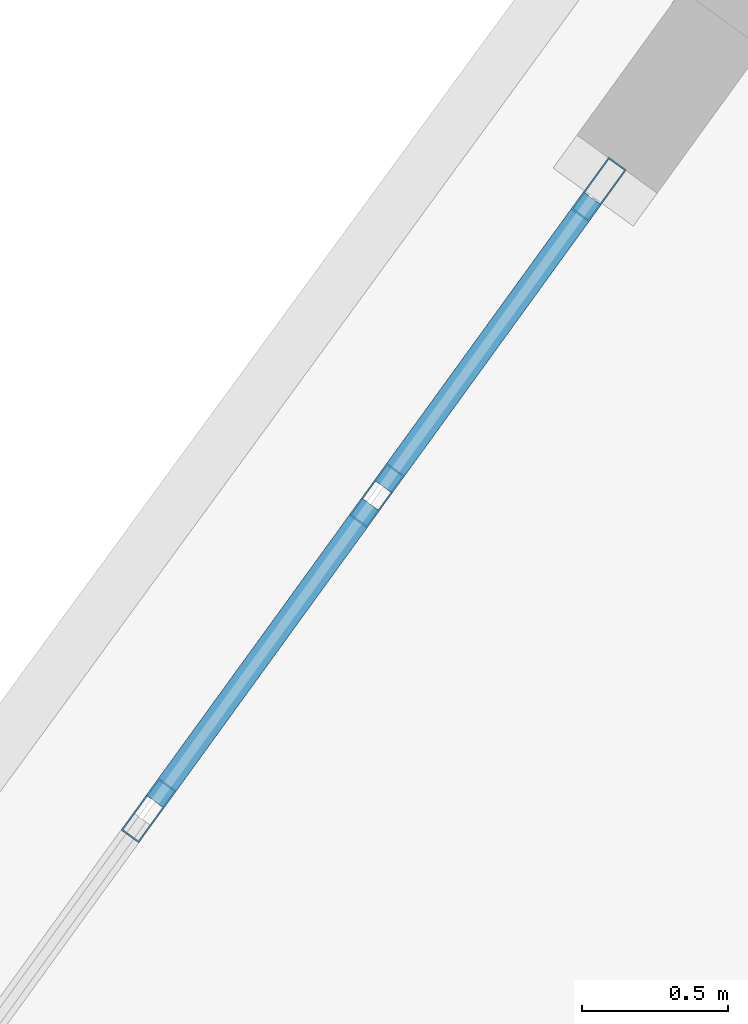
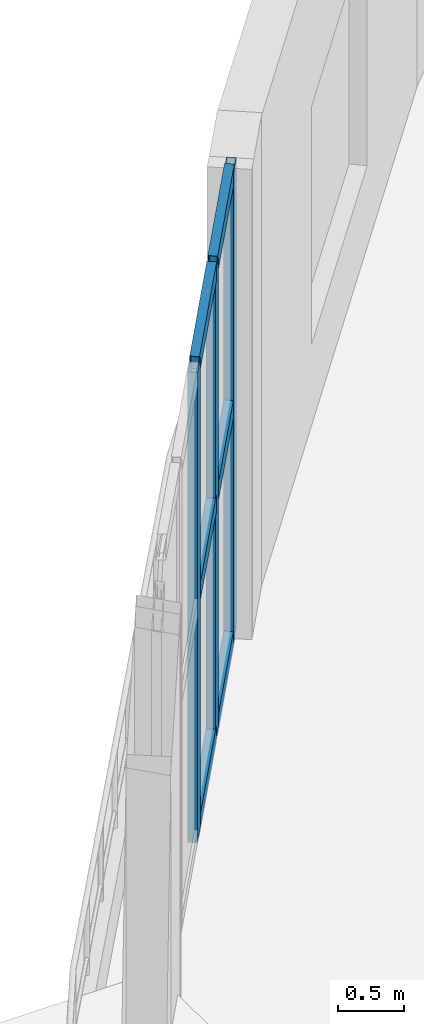
# One storey, part 8 of 19: 9 members, 1 element without a shape of its own.
"""IFC4 building model written with IfcOpenShell, lengths in metres."""

from ifc_helpers import new_model, si_unit, direction, frame, origin, origin_2d, place, context, subcontext, project, spatial, hollow_rectangle, extrude, material, layer, layer_set, material_profile, profile_set, type_object, element, aggregate, save


model = new_model("IFC4")

# Units and contexts
model_context = context("Model", 3, precision=1e-05, world=origin(), true_north=direction((0.0, 1.0)))
body_context = subcontext(model_context, "Body", "Model", "MODEL_VIEW")
ifc_project = project(units=[si_unit("LENGTHUNIT", "METRE"), si_unit("AREAUNIT", "SQUARE_METRE"), si_unit("VOLUMEUNIT", "CUBIC_METRE"), si_unit("PLANEANGLEUNIT", "RADIAN"), si_unit("MASSUNIT", "GRAM", prefix="KILO")], contexts=[model_context])

# Site, building, storey
site_placement = place(None, origin())
site = spatial("IfcSite", under=ifc_project, at=site_placement, CompositionType="ELEMENT")
building_placement = place(site_placement, origin())
building = spatial("IfcBuilding", under=site, at=building_placement, Name="Miruveldt Soraemaru", CompositionType="ELEMENT")
storey_placement = place(building_placement, frame((0.0, 0.0, 19.199951171875)))
storey = spatial("IfcBuildingStorey", under=building, at=storey_placement, Name="L05", CompositionType="ELEMENT", Elevation=19.199951171875)

# Curtain wall, members
ifc_material = material(Name="Anodised aluminium EN AW-6063 T6", Category="aluminium")
ifc_layer = layer(ifc_material, 0.219970703125, Name="Anodised aluminium EN AW-6063 T6", Category="aluminium")
ifc_layer_set = layer_set([ifc_layer], Name="Anodised aluminium EN AW-6063 T6")
curtain_wall_type = type_object("IfcCurtainWallType", Name="CW-SYS-2", PredefinedType="USERDEFINED", material=ifc_layer_set)
curtain_wall_placement = place(storey_placement, origin())
curtain_wall = element("IfcCurtainWall", 1, at=curtain_wall_placement, inside=storey, type_object=curtain_wall_type, Name="L05 Curtain Wall Bay 9", ObjectType="STOREFRONT", PredefinedType="USERDEFINED")
ifc_material_profile_1 = material_profile(ifc_material, hollow_rectangle(XDim=0.074951171875, YDim=0.219970703125, WallThickness=0.0048828125, at=origin_2d()), Name="Anodised aluminium EN AW-6063 T6", Category="aluminium")
ifc_profile_set_1 = profile_set([ifc_material_profile_1], Name="Anodised aluminium EN AW-6063 T6")
member_type_1 = type_object("IfcMemberType", Name="CWM-2", PredefinedType="MULLION", material=ifc_profile_set_1)
member_1_placement = place(storey_placement, frame((29.935302734375, 64.45166015625, 0.0), z_axis=(0.0, 0.0, 1.0), x_axis=(0.809743142229, -0.586784495035, 0.0)))
member_1 = element("IfcMember", 2, at=member_1_placement, type_object=member_type_1, Name="CW-2 mullion 1", PredefinedType="MULLION", context=body_context, shape_type="SweptSolid", body=[
    extrude(hollow_rectangle(XDim=0.074951171875, YDim=0.219970703125, WallThickness=0.0048828125, at=origin_2d()), origin(), (0.0, 0.0, 1.0), 4.35009765625),
])
member_2_placement = place(storey_placement, frame((29.17333984375, 63.400390625, 0.0), z_axis=(0.0, 0.0, 1.0), x_axis=(0.809743142229, -0.586784495035, 0.0)))
member_2 = element("IfcMember", 3, at=member_2_placement, type_object=member_type_1, Name="CW-2 mullion 2", PredefinedType="MULLION", context=body_context, shape_type="SweptSolid", body=[
    extrude(hollow_rectangle(XDim=0.074951171875, YDim=0.219970703125, WallThickness=0.0048828125, at=origin_2d()), origin(), (0.0, 0.0, 1.0), 4.35009765625),
])
member_3_placement = place(storey_placement, frame((28.389404296875, 62.318359375, 0.0), z_axis=(0.0, 0.0, 1.0), x_axis=(0.809743142229, -0.586784495035, 0.0)))
member_3 = element("IfcMember", 4, at=member_3_placement, type_object=member_type_1, Name="CW-2 mullion 3", PredefinedType="MULLION", context=body_context, shape_type="SweptSolid", body=[
    extrude(hollow_rectangle(XDim=0.074951171875, YDim=0.219970703125, WallThickness=0.0048828125, at=origin_2d()), origin(), (0.0, 0.0, 1.0), 4.35009765625),
])
ifc_material_profile_2 = material_profile(ifc_material, hollow_rectangle(XDim=0.074951171875, YDim=0.1650390625, WallThickness=0.00390625, at=origin_2d()), Name="Anodised aluminium EN AW-6063 T6", Category="aluminium")
ifc_profile_set_2 = profile_set([ifc_material_profile_2], Name="Anodised aluminium EN AW-6063 T6")
member_type_2 = type_object("IfcMemberType", Name="CWT-2", PredefinedType="USERDEFINED", material=ifc_profile_set_2)
member_4_placement = place(storey_placement, frame((29.913330078125, 64.42138671875, 0.03759765625), z_axis=(-0.58683023506, -0.809709994516, 0.0), x_axis=(0.809709994516, -0.58683023506, 0.0)))
member_4 = element("IfcMember", 5, at=member_4_placement, type_object=member_type_2, Name="CW-2 transom 1.1", ObjectType="TRANSOM", PredefinedType="USERDEFINED", context=body_context, shape_type="SweptSolid", body=[
    extrude(hollow_rectangle(XDim=0.074951171875, YDim=0.1650390625, WallThickness=0.00390625, at=origin_2d()), origin(), (0.0, 0.0, 1.0), 1.2236328125),
])
member_5_placement = place(storey_placement, frame((29.913330078125, 64.42138671875, 2.175048828125), z_axis=(-0.58683023506, -0.809709994516, 0.0), x_axis=(0.809709994516, -0.58683023506, 0.0)))
member_5 = element("IfcMember", 6, at=member_5_placement, type_object=member_type_2, Name="CW-2 transom 1.2", ObjectType="TRANSOM", PredefinedType="USERDEFINED", context=body_context, shape_type="SweptSolid", body=[
    extrude(hollow_rectangle(XDim=0.074951171875, YDim=0.1650390625, WallThickness=0.00390625, at=origin_2d()), origin(), (0.0, 0.0, 1.0), 1.2236328125),
])
member_6_placement = place(storey_placement, frame((29.913330078125, 64.42138671875, 4.3125), z_axis=(-0.58683023506, -0.809709994516, 0.0), x_axis=(0.809709994516, -0.58683023506, 0.0)))
member_6 = element("IfcMember", 7, at=member_6_placement, type_object=member_type_2, Name="CW-2 transom 1.3", ObjectType="TRANSOM", PredefinedType="USERDEFINED", context=body_context, shape_type="SweptSolid", body=[
    extrude(hollow_rectangle(XDim=0.074951171875, YDim=0.1650390625, WallThickness=0.00390625, at=origin_2d()), origin(), (0.0, 0.0, 1.0), 1.2236328125),
])
member_7_placement = place(storey_placement, frame((29.1513671875, 63.369873046875, 0.03759765625), z_axis=(-0.586847001754, -0.809697842737, 0.0), x_axis=(0.809697842737, -0.586847001754, 0.0)))
member_7 = element("IfcMember", 8, at=member_7_placement, type_object=member_type_2, Name="CW-2 transom 2.1", ObjectType="TRANSOM", PredefinedType="USERDEFINED", context=body_context, shape_type="SweptSolid", body=[
    extrude(hollow_rectangle(XDim=0.074951171875, YDim=0.1650390625, WallThickness=0.00390625, at=origin_2d()), origin(), (0.0, 0.0, 1.0), 1.260986328125),
])
member_8_placement = place(storey_placement, frame((29.1513671875, 63.369873046875, 2.175048828125), z_axis=(-0.586847001754, -0.809697842737, 0.0), x_axis=(0.809697842737, -0.586847001754, 0.0)))
member_8 = element("IfcMember", 9, at=member_8_placement, type_object=member_type_2, Name="CW-2 transom 2.2", ObjectType="TRANSOM", PredefinedType="USERDEFINED", context=body_context, shape_type="SweptSolid", body=[
    extrude(hollow_rectangle(XDim=0.074951171875, YDim=0.1650390625, WallThickness=0.00390625, at=origin_2d()), origin(), (0.0, 0.0, 1.0), 1.260986328125),
])
member_9_placement = place(storey_placement, frame((29.1513671875, 63.369873046875, 4.3125), z_axis=(-0.586847001754, -0.809697842737, 0.0), x_axis=(0.809697842737, -0.586847001754, 0.0)))
member_9 = element("IfcMember", 10, at=member_9_placement, type_object=member_type_2, Name="CW-2 transom 2.3", ObjectType="TRANSOM", PredefinedType="USERDEFINED", context=body_context, shape_type="SweptSolid", body=[
    extrude(hollow_rectangle(XDim=0.074951171875, YDim=0.1650390625, WallThickness=0.00390625, at=origin_2d()), origin(), (0.0, 0.0, 1.0), 1.260986328125),
])
aggregate(curtain_wall, [member_1, member_2, member_3, member_4, member_5, member_6, member_7, member_8, member_9])

save(model, "model.ifc")
